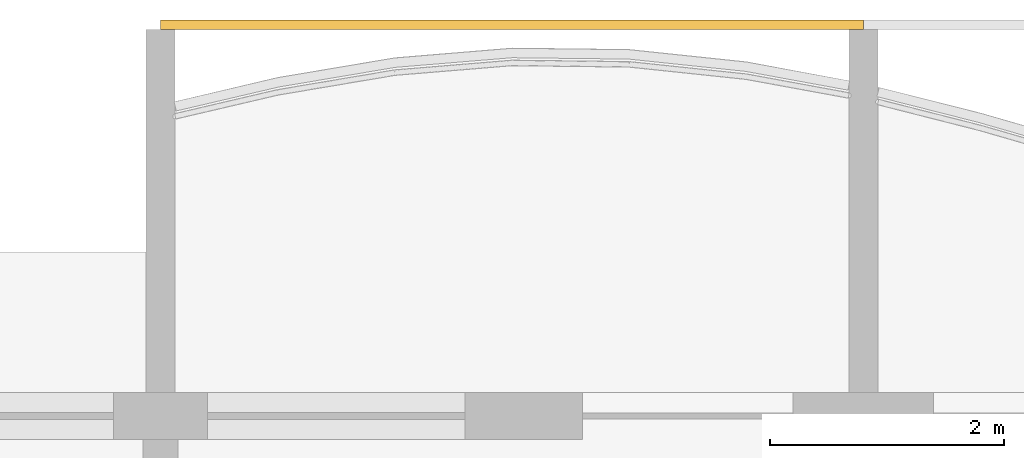
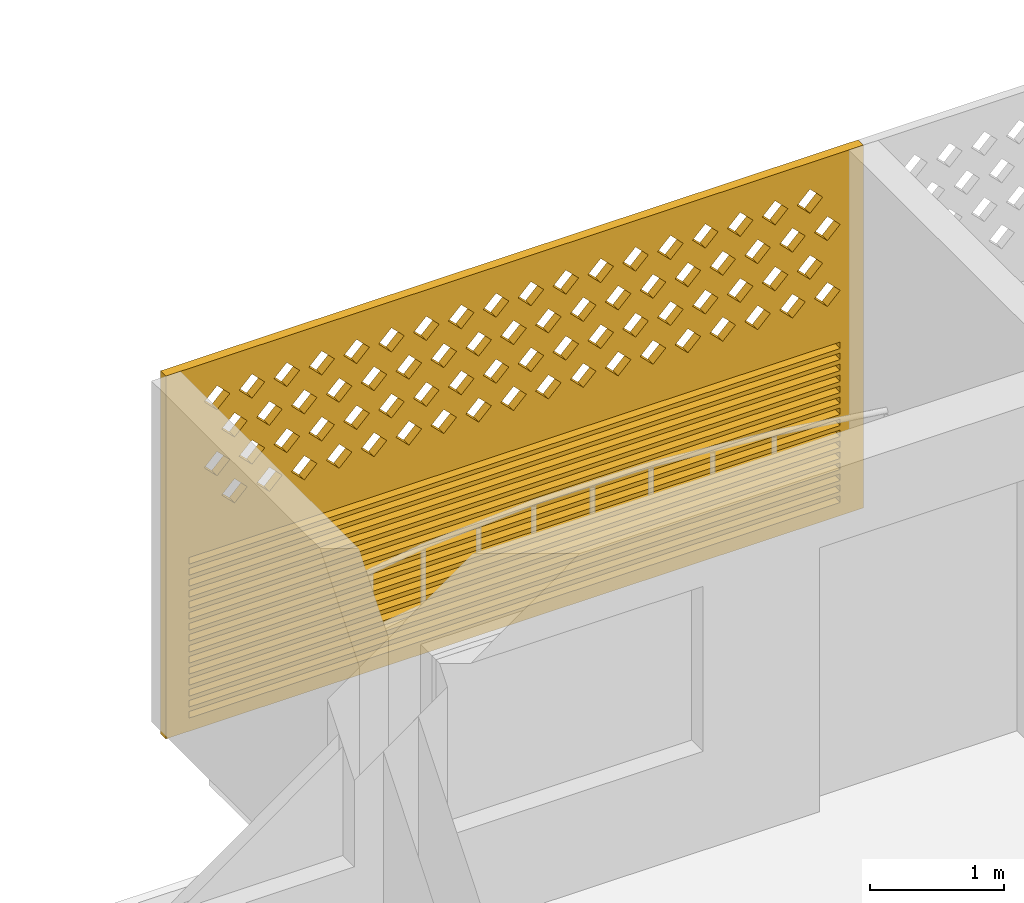
# One storey, part 28 of 32: 1 covering.
"""IFC4 building model written with IfcOpenShell, lengths in metres."""

from ifc_helpers import new_model, si_unit, direction, frame, origin, place, context, subcontext, project, spatial, polyline, outline, extrude, source, transform, mapped, material, material_profile, profile_set, type_object, element, save


model = new_model("IFC4")

# Units and contexts
model_context = context("Model", 3, precision=1e-05, world=origin(), true_north=direction((0.0, 1.0)))
body_context = subcontext(model_context, "Body", "Model", "MODEL_VIEW")
ifc_project = project(units=[si_unit("LENGTHUNIT", "METRE"), si_unit("AREAUNIT", "SQUARE_METRE"), si_unit("VOLUMEUNIT", "CUBIC_METRE"), si_unit("PLANEANGLEUNIT", "RADIAN"), si_unit("MASSUNIT", "GRAM", prefix="KILO")], contexts=[model_context])

# Site, building, storey
site_placement = place(None, origin())
site = spatial("IfcSite", under=ifc_project, at=site_placement, CompositionType="ELEMENT")
building_placement = place(site_placement, origin())
building = spatial("IfcBuilding", under=site, at=building_placement, Name="Poui Terraces", CompositionType="ELEMENT")
storey_placement = place(building_placement, frame((0.0, 0.0, 122.39990234375)))
storey = spatial("IfcBuildingStorey", under=building, at=storey_placement, Name="L33", CompositionType="ELEMENT", Elevation=122.39990234375)

# Covering
ifc_material = material(Name="Terracotta screen", Category="masonry")
ifc_material_profile = material_profile(ifc_material, outline(polyline([(-3.0, -1.64990234375), (3.0, -1.64990234375), (3.0, 1.64990234375), (-3.0, 1.64990234375), (-3.0, -1.64990234375)]), holes=[polyline([(-2.800048828125, 0.39990234375), (-2.68994140625, 0.2900390625), (-2.580078125, 0.39990234375), (-2.68994140625, 0.510009765625), (-2.800048828125, 0.39990234375)]), polyline([(-2.5, 0.39990234375), (-2.389892578125, 0.2900390625), (-2.280029296875, 0.39990234375), (-2.389892578125, 0.510009765625), (-2.5, 0.39990234375)]), polyline([(-2.199951171875, 0.39990234375), (-2.090087890625, 0.2900390625), (-1.97998046875, 0.39990234375), (-2.090087890625, 0.510009765625), (-2.199951171875, 0.39990234375)]), polyline([(-1.89990234375, 0.39990234375), (-1.7900390625, 0.2900390625), (-1.679931640625, 0.39990234375), (-1.7900390625, 0.510009765625), (-1.89990234375, 0.39990234375)]), polyline([(-1.60009765625, 0.39990234375), (-1.489990234375, 0.2900390625), (-1.3798828125, 0.39990234375), (-1.489990234375, 0.510009765625), (-1.60009765625, 0.39990234375)]), polyline([(-1.300048828125, 0.39990234375), (-1.18994140625, 0.2900390625), (-1.080078125, 0.39990234375), (-1.18994140625, 0.510009765625), (-1.300048828125, 0.39990234375)]), polyline([(-1.0, 0.39990234375), (-0.889892578125, 0.2900390625), (-0.780029296875, 0.39990234375), (-0.889892578125, 0.510009765625), (-1.0, 0.39990234375)]), polyline([(-0.699951171875, 0.39990234375), (-0.590087890625, 0.2900390625), (-0.47998046875, 0.39990234375), (-0.590087890625, 0.510009765625), (-0.699951171875, 0.39990234375)]), polyline([(-0.39990234375, 0.39990234375), (-0.2900390625, 0.2900390625), (-0.179931640625, 0.39990234375), (-0.2900390625, 0.510009765625), (-0.39990234375, 0.39990234375)]), polyline([(-0.10009765625, 0.39990234375), (0.010009765625, 0.2900390625), (0.1201171875, 0.39990234375), (0.010009765625, 0.510009765625), (-0.10009765625, 0.39990234375)]), polyline([(0.199951171875, 0.39990234375), (0.31005859375, 0.2900390625), (0.419921875, 0.39990234375), (0.31005859375, 0.510009765625), (0.199951171875, 0.39990234375)]), polyline([(0.5, 0.39990234375), (0.610107421875, 0.2900390625), (0.719970703125, 0.39990234375), (0.610107421875, 0.510009765625), (0.5, 0.39990234375)]), polyline([(0.800048828125, 0.39990234375), (0.909912109375, 0.2900390625), (1.02001953125, 0.39990234375), (0.909912109375, 0.510009765625), (0.800048828125, 0.39990234375)]), polyline([(1.10009765625, 0.39990234375), (1.2099609375, 0.2900390625), (1.320068359375, 0.39990234375), (1.2099609375, 0.510009765625), (1.10009765625, 0.39990234375)]), polyline([(1.39990234375, 0.39990234375), (1.510009765625, 0.2900390625), (1.6201171875, 0.39990234375), (1.510009765625, 0.510009765625), (1.39990234375, 0.39990234375)]), polyline([(1.699951171875, 0.39990234375), (1.81005859375, 0.2900390625), (1.919921875, 0.39990234375), (1.81005859375, 0.510009765625), (1.699951171875, 0.39990234375)]), polyline([(2.0, 0.39990234375), (2.110107421875, 0.2900390625), (2.219970703125, 0.39990234375), (2.110107421875, 0.510009765625), (2.0, 0.39990234375)]), polyline([(2.300048828125, 0.39990234375), (2.409912109375, 0.2900390625), (2.52001953125, 0.39990234375), (2.409912109375, 0.510009765625), (2.300048828125, 0.39990234375)]), polyline([(-2.64990234375, 0.699951171875), (-2.5400390625, 0.590087890625), (-2.429931640625, 0.699951171875), (-2.5400390625, 0.81005859375), (-2.64990234375, 0.699951171875)]), polyline([(-2.35009765625, 0.699951171875), (-2.239990234375, 0.590087890625), (-2.1298828125, 0.699951171875), (-2.239990234375, 0.81005859375), (-2.35009765625, 0.699951171875)]), polyline([(-2.050048828125, 0.699951171875), (-1.93994140625, 0.590087890625), (-1.830078125, 0.699951171875), (-1.93994140625, 0.81005859375), (-2.050048828125, 0.699951171875)]), polyline([(-1.75, 0.699951171875), (-1.639892578125, 0.590087890625), (-1.530029296875, 0.699951171875), (-1.639892578125, 0.81005859375), (-1.75, 0.699951171875)]), polyline([(-1.449951171875, 0.699951171875), (-1.340087890625, 0.590087890625), (-1.22998046875, 0.699951171875), (-1.340087890625, 0.81005859375), (-1.449951171875, 0.699951171875)]), polyline([(-1.14990234375, 0.699951171875), (-1.0400390625, 0.590087890625), (-0.929931640625, 0.699951171875), (-1.0400390625, 0.81005859375), (-1.14990234375, 0.699951171875)]), polyline([(-0.85009765625, 0.699951171875), (-0.739990234375, 0.590087890625), (-0.6298828125, 0.699951171875), (-0.739990234375, 0.81005859375), (-0.85009765625, 0.699951171875)]), polyline([(-0.550048828125, 0.699951171875), (-0.43994140625, 0.590087890625), (-0.330078125, 0.699951171875), (-0.43994140625, 0.81005859375), (-0.550048828125, 0.699951171875)]), polyline([(-0.25, 0.699951171875), (-0.139892578125, 0.590087890625), (-0.030029296875, 0.699951171875), (-0.139892578125, 0.81005859375), (-0.25, 0.699951171875)]), polyline([(0.050048828125, 0.699951171875), (0.159912109375, 0.590087890625), (0.27001953125, 0.699951171875), (0.159912109375, 0.81005859375), (0.050048828125, 0.699951171875)]), polyline([(0.35009765625, 0.699951171875), (0.4599609375, 0.590087890625), (0.570068359375, 0.699951171875), (0.4599609375, 0.81005859375), (0.35009765625, 0.699951171875)]), polyline([(0.64990234375, 0.699951171875), (0.760009765625, 0.590087890625), (0.8701171875, 0.699951171875), (0.760009765625, 0.81005859375), (0.64990234375, 0.699951171875)]), polyline([(0.949951171875, 0.699951171875), (1.06005859375, 0.590087890625), (1.169921875, 0.699951171875), (1.06005859375, 0.81005859375), (0.949951171875, 0.699951171875)]), polyline([(1.25, 0.699951171875), (1.360107421875, 0.590087890625), (1.469970703125, 0.699951171875), (1.360107421875, 0.81005859375), (1.25, 0.699951171875)]), polyline([(1.550048828125, 0.699951171875), (1.659912109375, 0.590087890625), (1.77001953125, 0.699951171875), (1.659912109375, 0.81005859375), (1.550048828125, 0.699951171875)]), polyline([(1.85009765625, 0.699951171875), (1.9599609375, 0.590087890625), (2.070068359375, 0.699951171875), (1.9599609375, 0.81005859375), (1.85009765625, 0.699951171875)]), polyline([(2.14990234375, 0.699951171875), (2.260009765625, 0.590087890625), (2.3701171875, 0.699951171875), (2.260009765625, 0.81005859375), (2.14990234375, 0.699951171875)]), polyline([(2.449951171875, 0.699951171875), (2.56005859375, 0.590087890625), (2.669921875, 0.699951171875), (2.56005859375, 0.81005859375), (2.449951171875, 0.699951171875)]), polyline([(-2.800048828125, 1.0), (-2.68994140625, 0.889892578125), (-2.580078125, 1.0), (-2.68994140625, 1.110107421875), (-2.800048828125, 1.0)]), polyline([(-2.5, 1.0), (-2.389892578125, 0.889892578125), (-2.280029296875, 1.0), (-2.389892578125, 1.110107421875), (-2.5, 1.0)]), polyline([(-2.199951171875, 1.0), (-2.090087890625, 0.889892578125), (-1.97998046875, 1.0), (-2.090087890625, 1.110107421875), (-2.199951171875, 1.0)]), polyline([(-1.89990234375, 1.0), (-1.7900390625, 0.889892578125), (-1.679931640625, 1.0), (-1.7900390625, 1.110107421875), (-1.89990234375, 1.0)]), polyline([(-1.60009765625, 1.0), (-1.489990234375, 0.889892578125), (-1.3798828125, 1.0), (-1.489990234375, 1.110107421875), (-1.60009765625, 1.0)]), polyline([(-1.300048828125, 1.0), (-1.18994140625, 0.889892578125), (-1.080078125, 1.0), (-1.18994140625, 1.110107421875), (-1.300048828125, 1.0)]), polyline([(-1.0, 1.0), (-0.889892578125, 0.889892578125), (-0.780029296875, 1.0), (-0.889892578125, 1.110107421875), (-1.0, 1.0)]), polyline([(-0.699951171875, 1.0), (-0.590087890625, 0.889892578125), (-0.47998046875, 1.0), (-0.590087890625, 1.110107421875), (-0.699951171875, 1.0)]), polyline([(-0.39990234375, 1.0), (-0.2900390625, 0.889892578125), (-0.179931640625, 1.0), (-0.2900390625, 1.110107421875), (-0.39990234375, 1.0)]), polyline([(-0.10009765625, 1.0), (0.010009765625, 0.889892578125), (0.1201171875, 1.0), (0.010009765625, 1.110107421875), (-0.10009765625, 1.0)]), polyline([(0.199951171875, 1.0), (0.31005859375, 0.889892578125), (0.419921875, 1.0), (0.31005859375, 1.110107421875), (0.199951171875, 1.0)]), polyline([(0.5, 1.0), (0.610107421875, 0.889892578125), (0.719970703125, 1.0), (0.610107421875, 1.110107421875), (0.5, 1.0)]), polyline([(0.800048828125, 1.0), (0.909912109375, 0.889892578125), (1.02001953125, 1.0), (0.909912109375, 1.110107421875), (0.800048828125, 1.0)]), polyline([(1.10009765625, 1.0), (1.2099609375, 0.889892578125), (1.320068359375, 1.0), (1.2099609375, 1.110107421875), (1.10009765625, 1.0)]), polyline([(1.39990234375, 1.0), (1.510009765625, 0.889892578125), (1.6201171875, 1.0), (1.510009765625, 1.110107421875), (1.39990234375, 1.0)]), polyline([(1.699951171875, 1.0), (1.81005859375, 0.889892578125), (1.919921875, 1.0), (1.81005859375, 1.110107421875), (1.699951171875, 1.0)]), polyline([(2.0, 1.0), (2.110107421875, 0.889892578125), (2.219970703125, 1.0), (2.110107421875, 1.110107421875), (2.0, 1.0)]), polyline([(2.300048828125, 1.0), (2.409912109375, 0.889892578125), (2.52001953125, 1.0), (2.409912109375, 1.110107421875), (2.300048828125, 1.0)]), polyline([(-2.64990234375, 1.300048828125), (-2.5400390625, 1.18994140625), (-2.429931640625, 1.300048828125), (-2.5400390625, 1.409912109375), (-2.64990234375, 1.300048828125)]), polyline([(-2.35009765625, 1.300048828125), (-2.239990234375, 1.18994140625), (-2.1298828125, 1.300048828125), (-2.239990234375, 1.409912109375), (-2.35009765625, 1.300048828125)]), polyline([(-2.050048828125, 1.300048828125), (-1.93994140625, 1.18994140625), (-1.830078125, 1.300048828125), (-1.93994140625, 1.409912109375), (-2.050048828125, 1.300048828125)]), polyline([(-1.75, 1.300048828125), (-1.639892578125, 1.18994140625), (-1.530029296875, 1.300048828125), (-1.639892578125, 1.409912109375), (-1.75, 1.300048828125)]), polyline([(-1.449951171875, 1.300048828125), (-1.340087890625, 1.18994140625), (-1.22998046875, 1.300048828125), (-1.340087890625, 1.409912109375), (-1.449951171875, 1.300048828125)]), polyline([(-1.14990234375, 1.300048828125), (-1.0400390625, 1.18994140625), (-0.929931640625, 1.300048828125), (-1.0400390625, 1.409912109375), (-1.14990234375, 1.300048828125)]), polyline([(-0.85009765625, 1.300048828125), (-0.739990234375, 1.18994140625), (-0.6298828125, 1.300048828125), (-0.739990234375, 1.409912109375), (-0.85009765625, 1.300048828125)]), polyline([(-0.550048828125, 1.300048828125), (-0.43994140625, 1.18994140625), (-0.330078125, 1.300048828125), (-0.43994140625, 1.409912109375), (-0.550048828125, 1.300048828125)]), polyline([(-0.25, 1.300048828125), (-0.139892578125, 1.18994140625), (-0.030029296875, 1.300048828125), (-0.139892578125, 1.409912109375), (-0.25, 1.300048828125)]), polyline([(0.050048828125, 1.300048828125), (0.159912109375, 1.18994140625), (0.27001953125, 1.300048828125), (0.159912109375, 1.409912109375), (0.050048828125, 1.300048828125)]), polyline([(0.35009765625, 1.300048828125), (0.4599609375, 1.18994140625), (0.570068359375, 1.300048828125), (0.4599609375, 1.409912109375), (0.35009765625, 1.300048828125)]), polyline([(0.64990234375, 1.300048828125), (0.760009765625, 1.18994140625), (0.8701171875, 1.300048828125), (0.760009765625, 1.409912109375), (0.64990234375, 1.300048828125)]), polyline([(0.949951171875, 1.300048828125), (1.06005859375, 1.18994140625), (1.169921875, 1.300048828125), (1.06005859375, 1.409912109375), (0.949951171875, 1.300048828125)]), polyline([(1.25, 1.300048828125), (1.360107421875, 1.18994140625), (1.469970703125, 1.300048828125), (1.360107421875, 1.409912109375), (1.25, 1.300048828125)]), polyline([(1.550048828125, 1.300048828125), (1.659912109375, 1.18994140625), (1.77001953125, 1.300048828125), (1.659912109375, 1.409912109375), (1.550048828125, 1.300048828125)]), polyline([(1.85009765625, 1.300048828125), (1.9599609375, 1.18994140625), (2.070068359375, 1.300048828125), (1.9599609375, 1.409912109375), (1.85009765625, 1.300048828125)]), polyline([(2.14990234375, 1.300048828125), (2.260009765625, 1.18994140625), (2.3701171875, 1.300048828125), (2.260009765625, 1.409912109375), (2.14990234375, 1.300048828125)]), polyline([(2.449951171875, 1.300048828125), (2.56005859375, 1.18994140625), (2.669921875, 1.300048828125), (2.56005859375, 1.409912109375), (2.449951171875, 1.300048828125)]), polyline([(-2.800048828125, -1.530029296875), (2.800048828125, -1.530029296875), (2.800048828125, -1.469970703125), (-2.800048828125, -1.469970703125), (-2.800048828125, -1.530029296875)]), polyline([(-2.800048828125, -1.429931640625), (2.800048828125, -1.429931640625), (2.800048828125, -1.3701171875), (-2.800048828125, -1.3701171875), (-2.800048828125, -1.429931640625)]), polyline([(-2.800048828125, -1.330078125), (2.800048828125, -1.330078125), (2.800048828125, -1.27001953125), (-2.800048828125, -1.27001953125), (-2.800048828125, -1.330078125)]), polyline([(-2.800048828125, -1.22998046875), (2.800048828125, -1.22998046875), (2.800048828125, -1.169921875), (-2.800048828125, -1.169921875), (-2.800048828125, -1.22998046875)]), polyline([(-2.800048828125, -1.1298828125), (2.800048828125, -1.1298828125), (2.800048828125, -1.070068359375), (-2.800048828125, -1.070068359375), (-2.800048828125, -1.1298828125)]), polyline([(-2.800048828125, -1.030029296875), (2.800048828125, -1.030029296875), (2.800048828125, -0.969970703125), (-2.800048828125, -0.969970703125), (-2.800048828125, -1.030029296875)]), polyline([(-2.800048828125, -0.929931640625), (2.800048828125, -0.929931640625), (2.800048828125, -0.8701171875), (-2.800048828125, -0.8701171875), (-2.800048828125, -0.929931640625)]), polyline([(-2.800048828125, -0.830078125), (2.800048828125, -0.830078125), (2.800048828125, -0.77001953125), (-2.800048828125, -0.77001953125), (-2.800048828125, -0.830078125)]), polyline([(-2.800048828125, -0.72998046875), (2.800048828125, -0.72998046875), (2.800048828125, -0.669921875), (-2.800048828125, -0.669921875), (-2.800048828125, -0.72998046875)]), polyline([(-2.800048828125, -0.6298828125), (2.800048828125, -0.6298828125), (2.800048828125, -0.570068359375), (-2.800048828125, -0.570068359375), (-2.800048828125, -0.6298828125)]), polyline([(-2.800048828125, -0.530029296875), (2.800048828125, -0.530029296875), (2.800048828125, -0.469970703125), (-2.800048828125, -0.469970703125), (-2.800048828125, -0.530029296875)]), polyline([(-2.800048828125, -0.429931640625), (2.800048828125, -0.429931640625), (2.800048828125, -0.3701171875), (-2.800048828125, -0.3701171875), (-2.800048828125, -0.429931640625)]), polyline([(-2.800048828125, -0.330078125), (2.800048828125, -0.330078125), (2.800048828125, -0.27001953125), (-2.800048828125, -0.27001953125), (-2.800048828125, -0.330078125)]), polyline([(-2.800048828125, -0.22998046875), (2.800048828125, -0.22998046875), (2.800048828125, -0.169921875), (-2.800048828125, -0.169921875), (-2.800048828125, -0.22998046875)]), polyline([(-2.800048828125, -0.1298828125), (2.800048828125, -0.1298828125), (2.800048828125, -0.070068359375), (-2.800048828125, -0.070068359375), (-2.800048828125, -0.1298828125)])]), Name="TERRACOTTA SCREEN AND JALOUSIE LOUVRE 6000X3300")
ifc_profile_set = profile_set([ifc_material_profile], Name="Terracotta screen")
covering_type = type_object("IfcCoveringType", Name="TERRACOTTA SCREEN AND JALOUSIE LOUVRE 6000X3300", PredefinedType="CLADDING", material=ifc_profile_set)
shared_shape = source(origin(), body_context, "Body", "SweptSolid", [
    extrude(outline(polyline([(-3.0, -1.64990234375), (3.0, -1.64990234375), (3.0, 1.64990234375), (-3.0, 1.64990234375), (-3.0, -1.64990234375)]), holes=[polyline([(-2.800048828125, 0.39990234375), (-2.68994140625, 0.2900390625), (-2.580078125, 0.39990234375), (-2.68994140625, 0.510009765625), (-2.800048828125, 0.39990234375)]), polyline([(-2.5, 0.39990234375), (-2.389892578125, 0.2900390625), (-2.280029296875, 0.39990234375), (-2.389892578125, 0.510009765625), (-2.5, 0.39990234375)]), polyline([(-2.199951171875, 0.39990234375), (-2.090087890625, 0.2900390625), (-1.97998046875, 0.39990234375), (-2.090087890625, 0.510009765625), (-2.199951171875, 0.39990234375)]), polyline([(-1.89990234375, 0.39990234375), (-1.7900390625, 0.2900390625), (-1.679931640625, 0.39990234375), (-1.7900390625, 0.510009765625), (-1.89990234375, 0.39990234375)]), polyline([(-1.60009765625, 0.39990234375), (-1.489990234375, 0.2900390625), (-1.3798828125, 0.39990234375), (-1.489990234375, 0.510009765625), (-1.60009765625, 0.39990234375)]), polyline([(-1.300048828125, 0.39990234375), (-1.18994140625, 0.2900390625), (-1.080078125, 0.39990234375), (-1.18994140625, 0.510009765625), (-1.300048828125, 0.39990234375)]), polyline([(-1.0, 0.39990234375), (-0.889892578125, 0.2900390625), (-0.780029296875, 0.39990234375), (-0.889892578125, 0.510009765625), (-1.0, 0.39990234375)]), polyline([(-0.699951171875, 0.39990234375), (-0.590087890625, 0.2900390625), (-0.47998046875, 0.39990234375), (-0.590087890625, 0.510009765625), (-0.699951171875, 0.39990234375)]), polyline([(-0.39990234375, 0.39990234375), (-0.2900390625, 0.2900390625), (-0.179931640625, 0.39990234375), (-0.2900390625, 0.510009765625), (-0.39990234375, 0.39990234375)]), polyline([(-0.10009765625, 0.39990234375), (0.010009765625, 0.2900390625), (0.1201171875, 0.39990234375), (0.010009765625, 0.510009765625), (-0.10009765625, 0.39990234375)]), polyline([(0.199951171875, 0.39990234375), (0.31005859375, 0.2900390625), (0.419921875, 0.39990234375), (0.31005859375, 0.510009765625), (0.199951171875, 0.39990234375)]), polyline([(0.5, 0.39990234375), (0.610107421875, 0.2900390625), (0.719970703125, 0.39990234375), (0.610107421875, 0.510009765625), (0.5, 0.39990234375)]), polyline([(0.800048828125, 0.39990234375), (0.909912109375, 0.2900390625), (1.02001953125, 0.39990234375), (0.909912109375, 0.510009765625), (0.800048828125, 0.39990234375)]), polyline([(1.10009765625, 0.39990234375), (1.2099609375, 0.2900390625), (1.320068359375, 0.39990234375), (1.2099609375, 0.510009765625), (1.10009765625, 0.39990234375)]), polyline([(1.39990234375, 0.39990234375), (1.510009765625, 0.2900390625), (1.6201171875, 0.39990234375), (1.510009765625, 0.510009765625), (1.39990234375, 0.39990234375)]), polyline([(1.699951171875, 0.39990234375), (1.81005859375, 0.2900390625), (1.919921875, 0.39990234375), (1.81005859375, 0.510009765625), (1.699951171875, 0.39990234375)]), polyline([(2.0, 0.39990234375), (2.110107421875, 0.2900390625), (2.219970703125, 0.39990234375), (2.110107421875, 0.510009765625), (2.0, 0.39990234375)]), polyline([(2.300048828125, 0.39990234375), (2.409912109375, 0.2900390625), (2.52001953125, 0.39990234375), (2.409912109375, 0.510009765625), (2.300048828125, 0.39990234375)]), polyline([(-2.64990234375, 0.699951171875), (-2.5400390625, 0.590087890625), (-2.429931640625, 0.699951171875), (-2.5400390625, 0.81005859375), (-2.64990234375, 0.699951171875)]), polyline([(-2.35009765625, 0.699951171875), (-2.239990234375, 0.590087890625), (-2.1298828125, 0.699951171875), (-2.239990234375, 0.81005859375), (-2.35009765625, 0.699951171875)]), polyline([(-2.050048828125, 0.699951171875), (-1.93994140625, 0.590087890625), (-1.830078125, 0.699951171875), (-1.93994140625, 0.81005859375), (-2.050048828125, 0.699951171875)]), polyline([(-1.75, 0.699951171875), (-1.639892578125, 0.590087890625), (-1.530029296875, 0.699951171875), (-1.639892578125, 0.81005859375), (-1.75, 0.699951171875)]), polyline([(-1.449951171875, 0.699951171875), (-1.340087890625, 0.590087890625), (-1.22998046875, 0.699951171875), (-1.340087890625, 0.81005859375), (-1.449951171875, 0.699951171875)]), polyline([(-1.14990234375, 0.699951171875), (-1.0400390625, 0.590087890625), (-0.929931640625, 0.699951171875), (-1.0400390625, 0.81005859375), (-1.14990234375, 0.699951171875)]), polyline([(-0.85009765625, 0.699951171875), (-0.739990234375, 0.590087890625), (-0.6298828125, 0.699951171875), (-0.739990234375, 0.81005859375), (-0.85009765625, 0.699951171875)]), polyline([(-0.550048828125, 0.699951171875), (-0.43994140625, 0.590087890625), (-0.330078125, 0.699951171875), (-0.43994140625, 0.81005859375), (-0.550048828125, 0.699951171875)]), polyline([(-0.25, 0.699951171875), (-0.139892578125, 0.590087890625), (-0.030029296875, 0.699951171875), (-0.139892578125, 0.81005859375), (-0.25, 0.699951171875)]), polyline([(0.050048828125, 0.699951171875), (0.159912109375, 0.590087890625), (0.27001953125, 0.699951171875), (0.159912109375, 0.81005859375), (0.050048828125, 0.699951171875)]), polyline([(0.35009765625, 0.699951171875), (0.4599609375, 0.590087890625), (0.570068359375, 0.699951171875), (0.4599609375, 0.81005859375), (0.35009765625, 0.699951171875)]), polyline([(0.64990234375, 0.699951171875), (0.760009765625, 0.590087890625), (0.8701171875, 0.699951171875), (0.760009765625, 0.81005859375), (0.64990234375, 0.699951171875)]), polyline([(0.949951171875, 0.699951171875), (1.06005859375, 0.590087890625), (1.169921875, 0.699951171875), (1.06005859375, 0.81005859375), (0.949951171875, 0.699951171875)]), polyline([(1.25, 0.699951171875), (1.360107421875, 0.590087890625), (1.469970703125, 0.699951171875), (1.360107421875, 0.81005859375), (1.25, 0.699951171875)]), polyline([(1.550048828125, 0.699951171875), (1.659912109375, 0.590087890625), (1.77001953125, 0.699951171875), (1.659912109375, 0.81005859375), (1.550048828125, 0.699951171875)]), polyline([(1.85009765625, 0.699951171875), (1.9599609375, 0.590087890625), (2.070068359375, 0.699951171875), (1.9599609375, 0.81005859375), (1.85009765625, 0.699951171875)]), polyline([(2.14990234375, 0.699951171875), (2.260009765625, 0.590087890625), (2.3701171875, 0.699951171875), (2.260009765625, 0.81005859375), (2.14990234375, 0.699951171875)]), polyline([(2.449951171875, 0.699951171875), (2.56005859375, 0.590087890625), (2.669921875, 0.699951171875), (2.56005859375, 0.81005859375), (2.449951171875, 0.699951171875)]), polyline([(-2.800048828125, 1.0), (-2.68994140625, 0.889892578125), (-2.580078125, 1.0), (-2.68994140625, 1.110107421875), (-2.800048828125, 1.0)]), polyline([(-2.5, 1.0), (-2.389892578125, 0.889892578125), (-2.280029296875, 1.0), (-2.389892578125, 1.110107421875), (-2.5, 1.0)]), polyline([(-2.199951171875, 1.0), (-2.090087890625, 0.889892578125), (-1.97998046875, 1.0), (-2.090087890625, 1.110107421875), (-2.199951171875, 1.0)]), polyline([(-1.89990234375, 1.0), (-1.7900390625, 0.889892578125), (-1.679931640625, 1.0), (-1.7900390625, 1.110107421875), (-1.89990234375, 1.0)]), polyline([(-1.60009765625, 1.0), (-1.489990234375, 0.889892578125), (-1.3798828125, 1.0), (-1.489990234375, 1.110107421875), (-1.60009765625, 1.0)]), polyline([(-1.300048828125, 1.0), (-1.18994140625, 0.889892578125), (-1.080078125, 1.0), (-1.18994140625, 1.110107421875), (-1.300048828125, 1.0)]), polyline([(-1.0, 1.0), (-0.889892578125, 0.889892578125), (-0.780029296875, 1.0), (-0.889892578125, 1.110107421875), (-1.0, 1.0)]), polyline([(-0.699951171875, 1.0), (-0.590087890625, 0.889892578125), (-0.47998046875, 1.0), (-0.590087890625, 1.110107421875), (-0.699951171875, 1.0)]), polyline([(-0.39990234375, 1.0), (-0.2900390625, 0.889892578125), (-0.179931640625, 1.0), (-0.2900390625, 1.110107421875), (-0.39990234375, 1.0)]), polyline([(-0.10009765625, 1.0), (0.010009765625, 0.889892578125), (0.1201171875, 1.0), (0.010009765625, 1.110107421875), (-0.10009765625, 1.0)]), polyline([(0.199951171875, 1.0), (0.31005859375, 0.889892578125), (0.419921875, 1.0), (0.31005859375, 1.110107421875), (0.199951171875, 1.0)]), polyline([(0.5, 1.0), (0.610107421875, 0.889892578125), (0.719970703125, 1.0), (0.610107421875, 1.110107421875), (0.5, 1.0)]), polyline([(0.800048828125, 1.0), (0.909912109375, 0.889892578125), (1.02001953125, 1.0), (0.909912109375, 1.110107421875), (0.800048828125, 1.0)]), polyline([(1.10009765625, 1.0), (1.2099609375, 0.889892578125), (1.320068359375, 1.0), (1.2099609375, 1.110107421875), (1.10009765625, 1.0)]), polyline([(1.39990234375, 1.0), (1.510009765625, 0.889892578125), (1.6201171875, 1.0), (1.510009765625, 1.110107421875), (1.39990234375, 1.0)]), polyline([(1.699951171875, 1.0), (1.81005859375, 0.889892578125), (1.919921875, 1.0), (1.81005859375, 1.110107421875), (1.699951171875, 1.0)]), polyline([(2.0, 1.0), (2.110107421875, 0.889892578125), (2.219970703125, 1.0), (2.110107421875, 1.110107421875), (2.0, 1.0)]), polyline([(2.300048828125, 1.0), (2.409912109375, 0.889892578125), (2.52001953125, 1.0), (2.409912109375, 1.110107421875), (2.300048828125, 1.0)]), polyline([(-2.64990234375, 1.300048828125), (-2.5400390625, 1.18994140625), (-2.429931640625, 1.300048828125), (-2.5400390625, 1.409912109375), (-2.64990234375, 1.300048828125)]), polyline([(-2.35009765625, 1.300048828125), (-2.239990234375, 1.18994140625), (-2.1298828125, 1.300048828125), (-2.239990234375, 1.409912109375), (-2.35009765625, 1.300048828125)]), polyline([(-2.050048828125, 1.300048828125), (-1.93994140625, 1.18994140625), (-1.830078125, 1.300048828125), (-1.93994140625, 1.409912109375), (-2.050048828125, 1.300048828125)]), polyline([(-1.75, 1.300048828125), (-1.639892578125, 1.18994140625), (-1.530029296875, 1.300048828125), (-1.639892578125, 1.409912109375), (-1.75, 1.300048828125)]), polyline([(-1.449951171875, 1.300048828125), (-1.340087890625, 1.18994140625), (-1.22998046875, 1.300048828125), (-1.340087890625, 1.409912109375), (-1.449951171875, 1.300048828125)]), polyline([(-1.14990234375, 1.300048828125), (-1.0400390625, 1.18994140625), (-0.929931640625, 1.300048828125), (-1.0400390625, 1.409912109375), (-1.14990234375, 1.300048828125)]), polyline([(-0.85009765625, 1.300048828125), (-0.739990234375, 1.18994140625), (-0.6298828125, 1.300048828125), (-0.739990234375, 1.409912109375), (-0.85009765625, 1.300048828125)]), polyline([(-0.550048828125, 1.300048828125), (-0.43994140625, 1.18994140625), (-0.330078125, 1.300048828125), (-0.43994140625, 1.409912109375), (-0.550048828125, 1.300048828125)]), polyline([(-0.25, 1.300048828125), (-0.139892578125, 1.18994140625), (-0.030029296875, 1.300048828125), (-0.139892578125, 1.409912109375), (-0.25, 1.300048828125)]), polyline([(0.050048828125, 1.300048828125), (0.159912109375, 1.18994140625), (0.27001953125, 1.300048828125), (0.159912109375, 1.409912109375), (0.050048828125, 1.300048828125)]), polyline([(0.35009765625, 1.300048828125), (0.4599609375, 1.18994140625), (0.570068359375, 1.300048828125), (0.4599609375, 1.409912109375), (0.35009765625, 1.300048828125)]), polyline([(0.64990234375, 1.300048828125), (0.760009765625, 1.18994140625), (0.8701171875, 1.300048828125), (0.760009765625, 1.409912109375), (0.64990234375, 1.300048828125)]), polyline([(0.949951171875, 1.300048828125), (1.06005859375, 1.18994140625), (1.169921875, 1.300048828125), (1.06005859375, 1.409912109375), (0.949951171875, 1.300048828125)]), polyline([(1.25, 1.300048828125), (1.360107421875, 1.18994140625), (1.469970703125, 1.300048828125), (1.360107421875, 1.409912109375), (1.25, 1.300048828125)]), polyline([(1.550048828125, 1.300048828125), (1.659912109375, 1.18994140625), (1.77001953125, 1.300048828125), (1.659912109375, 1.409912109375), (1.550048828125, 1.300048828125)]), polyline([(1.85009765625, 1.300048828125), (1.9599609375, 1.18994140625), (2.070068359375, 1.300048828125), (1.9599609375, 1.409912109375), (1.85009765625, 1.300048828125)]), polyline([(2.14990234375, 1.300048828125), (2.260009765625, 1.18994140625), (2.3701171875, 1.300048828125), (2.260009765625, 1.409912109375), (2.14990234375, 1.300048828125)]), polyline([(2.449951171875, 1.300048828125), (2.56005859375, 1.18994140625), (2.669921875, 1.300048828125), (2.56005859375, 1.409912109375), (2.449951171875, 1.300048828125)]), polyline([(-2.800048828125, -1.530029296875), (2.800048828125, -1.530029296875), (2.800048828125, -1.469970703125), (-2.800048828125, -1.469970703125), (-2.800048828125, -1.530029296875)]), polyline([(-2.800048828125, -1.429931640625), (2.800048828125, -1.429931640625), (2.800048828125, -1.3701171875), (-2.800048828125, -1.3701171875), (-2.800048828125, -1.429931640625)]), polyline([(-2.800048828125, -1.330078125), (2.800048828125, -1.330078125), (2.800048828125, -1.27001953125), (-2.800048828125, -1.27001953125), (-2.800048828125, -1.330078125)]), polyline([(-2.800048828125, -1.22998046875), (2.800048828125, -1.22998046875), (2.800048828125, -1.169921875), (-2.800048828125, -1.169921875), (-2.800048828125, -1.22998046875)]), polyline([(-2.800048828125, -1.1298828125), (2.800048828125, -1.1298828125), (2.800048828125, -1.070068359375), (-2.800048828125, -1.070068359375), (-2.800048828125, -1.1298828125)]), polyline([(-2.800048828125, -1.030029296875), (2.800048828125, -1.030029296875), (2.800048828125, -0.969970703125), (-2.800048828125, -0.969970703125), (-2.800048828125, -1.030029296875)]), polyline([(-2.800048828125, -0.929931640625), (2.800048828125, -0.929931640625), (2.800048828125, -0.8701171875), (-2.800048828125, -0.8701171875), (-2.800048828125, -0.929931640625)]), polyline([(-2.800048828125, -0.830078125), (2.800048828125, -0.830078125), (2.800048828125, -0.77001953125), (-2.800048828125, -0.77001953125), (-2.800048828125, -0.830078125)]), polyline([(-2.800048828125, -0.72998046875), (2.800048828125, -0.72998046875), (2.800048828125, -0.669921875), (-2.800048828125, -0.669921875), (-2.800048828125, -0.72998046875)]), polyline([(-2.800048828125, -0.6298828125), (2.800048828125, -0.6298828125), (2.800048828125, -0.570068359375), (-2.800048828125, -0.570068359375), (-2.800048828125, -0.6298828125)]), polyline([(-2.800048828125, -0.530029296875), (2.800048828125, -0.530029296875), (2.800048828125, -0.469970703125), (-2.800048828125, -0.469970703125), (-2.800048828125, -0.530029296875)]), polyline([(-2.800048828125, -0.429931640625), (2.800048828125, -0.429931640625), (2.800048828125, -0.3701171875), (-2.800048828125, -0.3701171875), (-2.800048828125, -0.429931640625)]), polyline([(-2.800048828125, -0.330078125), (2.800048828125, -0.330078125), (2.800048828125, -0.27001953125), (-2.800048828125, -0.27001953125), (-2.800048828125, -0.330078125)]), polyline([(-2.800048828125, -0.22998046875), (2.800048828125, -0.22998046875), (2.800048828125, -0.169921875), (-2.800048828125, -0.169921875), (-2.800048828125, -0.22998046875)]), polyline([(-2.800048828125, -0.1298828125), (2.800048828125, -0.1298828125), (2.800048828125, -0.070068359375), (-2.800048828125, -0.070068359375), (-2.800048828125, -0.1298828125)])]), origin(), (0.0, 0.0, 1.0), 0.080078125),
])
covering_placement = place(storey_placement, frame((63.0, 45.699951171875, 1.4501953125), z_axis=(0.0, 1.0, 0.0), x_axis=(-1.0, 0.0, 0.0)))
element("IfcCovering", 1, at=covering_placement, inside=storey, type_object=covering_type, Name="SOLAR SCREEN AND JALOUSIE LOUVRE", PredefinedType="CLADDING", context=body_context, shape_type="MappedRepresentation", body=[
    mapped(shared_shape, transform((0.0, 0.0, 0.0))),
])

save(model, "model.ifc")
